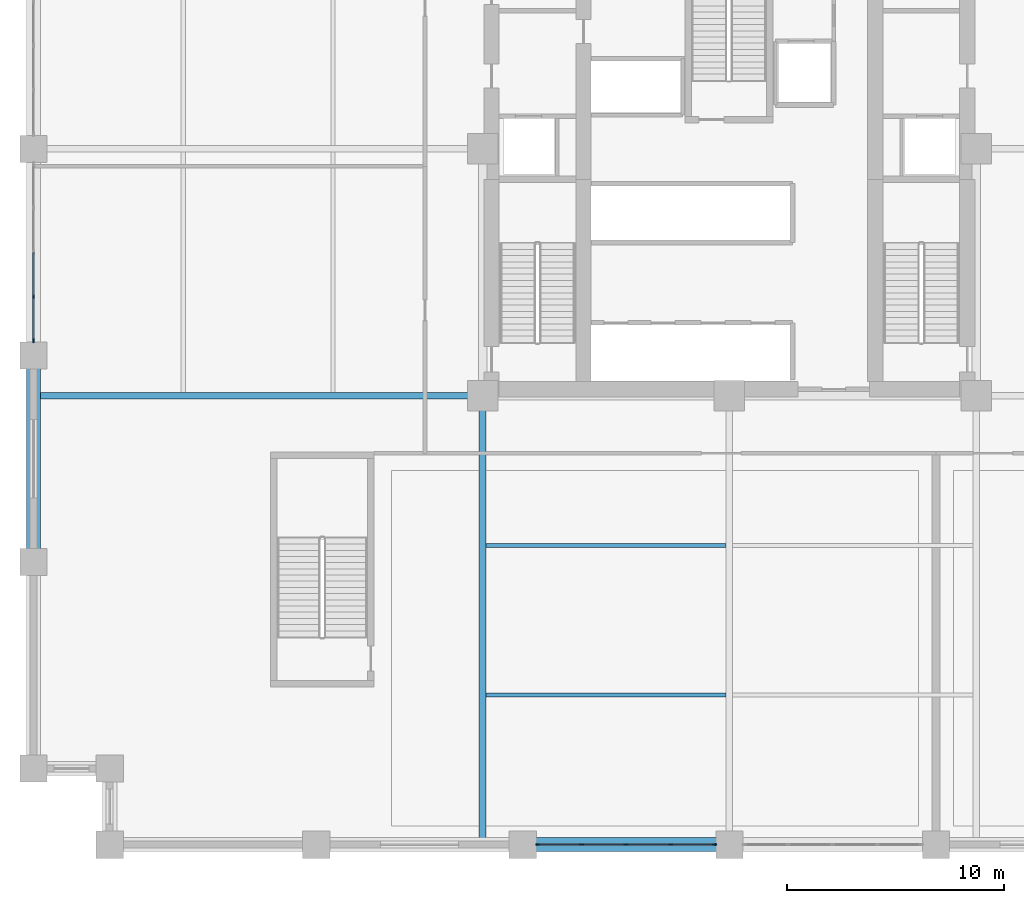
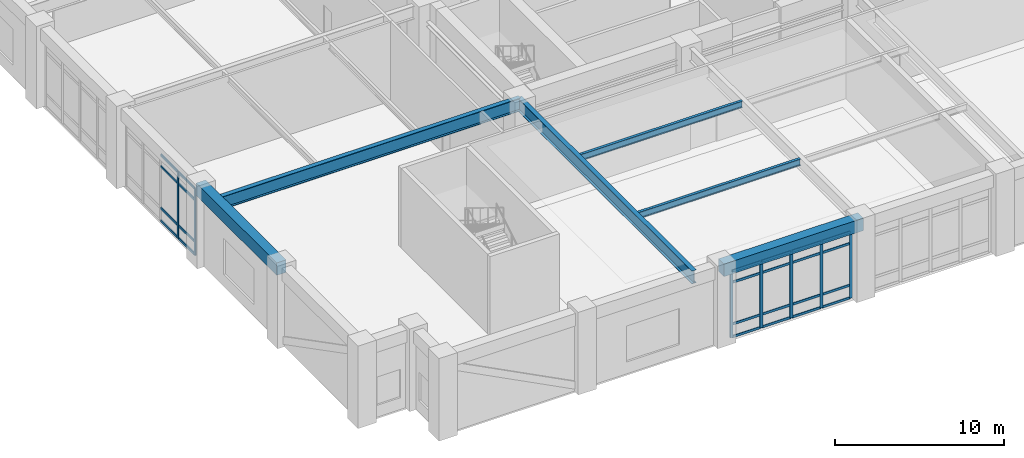
# One storey, part 2 of 21: 31 members, 6 beams, 2 elements without a shape of their own.
"""IFC4 building model written with IfcOpenShell, lengths in metres."""

from ifc_helpers import new_model, si_unit, direction, frame, origin, origin_2d, place, context, subcontext, project, spatial, rectangle, i_section, extrude, material, layer, layer_set, material_profile, profile_set, type_object, element, aggregate, save


model = new_model("IFC4")

# Units and contexts
model_context = context("Model", 3, precision=1e-05, world=origin(), true_north=direction((0.0, 1.0)))
body_context = subcontext(model_context, "Body", "Model", "MODEL_VIEW")
ifc_project = project(units=[si_unit("LENGTHUNIT", "METRE"), si_unit("AREAUNIT", "SQUARE_METRE"), si_unit("VOLUMEUNIT", "CUBIC_METRE"), si_unit("PLANEANGLEUNIT", "RADIAN"), si_unit("MASSUNIT", "GRAM", prefix="KILO")], contexts=[model_context])

# Site, building, storey
site_placement = place(None, origin())
site = spatial("IfcSite", under=ifc_project, at=site_placement, CompositionType="ELEMENT")
building_placement = place(site_placement, origin())
building = spatial("IfcBuilding", under=site, at=building_placement, Name="Nhamokura Convention Tower", CompositionType="ELEMENT")
storey_placement = place(building_placement, frame((0.0, 0.0, 17.85009765625)))
storey = spatial("IfcBuildingStorey", under=building, at=storey_placement, Name="L03", CompositionType="ELEMENT", Elevation=17.85009765625)

# Curtain wall, members
ifc_material_1 = material(Name="Anodised bronze aluminium AA6063-T6", Category="aluminium")
ifc_layer = layer(ifc_material_1, 0.199951171875)
ifc_layer_set = layer_set([ifc_layer], Name="CWSystem_ConventionFoyer")
curtain_wall_type = type_object("IfcCurtainWallType", Name="CWSystem_ConventionFoyer", PredefinedType="NOTDEFINED", material=ifc_layer_set)
curtain_wall_1_placement = place(storey_placement, origin())
curtain_wall_1 = element("IfcCurtainWall", 1, at=curtain_wall_1_placement, inside=storey, type_object=curtain_wall_type, Name="L03 Curtain Wall ENV-L03-CW-S2", PredefinedType="NOTDEFINED")
ifc_material_2 = material(Name="Anodised bronze aluminium AA6063-T6", Category="aluminium")
ifc_material_profile_1 = material_profile(ifc_material_2, rectangle(XDim=0.074951171875, YDim=0.199951171875, at=origin_2d()))
ifc_profile_set_1 = profile_set([ifc_material_profile_1], Name="Anodised bronze aluminium AA6063-T6")
member_type_1 = type_object("IfcMemberType", Name="CWMullion_2", PredefinedType="MULLION", material=ifc_profile_set_1)
member_1_placement = place(storey_placement, frame((31.3125, 0.0, 0.0), z_axis=(0.0, 0.0, 1.0), x_axis=(0.0, -1.0, 0.0)))
member_1 = element("IfcMember", 2, at=member_1_placement, type_object=member_type_1, Name="CW-02 mullion 1", PredefinedType="MULLION", context=body_context, shape_type="SweptSolid", body=[
    extrude(rectangle(XDim=0.074951171875, YDim=0.199951171875, at=origin_2d()), origin(), (0.0, 0.0, 1.0), 4.809814453125),
])
member_2_placement = place(storey_placement, frame((29.300048828125, 0.0, 0.0), z_axis=(0.0, 0.0, 1.0), x_axis=(0.0, -1.0, 0.0)))
member_2 = element("IfcMember", 3, at=member_2_placement, type_object=member_type_1, Name="CW-02 mullion 2", PredefinedType="MULLION", context=body_context, shape_type="SweptSolid", body=[
    extrude(rectangle(XDim=0.074951171875, YDim=0.199951171875, at=origin_2d()), origin(), (0.0, 0.0, 1.0), 4.809814453125),
])
member_3_placement = place(storey_placement, frame((27.25, 0.0, 0.0), z_axis=(0.0, 0.0, 1.0), x_axis=(0.0, -1.0, 0.0)))
member_3 = element("IfcMember", 4, at=member_3_placement, type_object=member_type_1, Name="CW-02 mullion 3", PredefinedType="MULLION", context=body_context, shape_type="SweptSolid", body=[
    extrude(rectangle(XDim=0.074951171875, YDim=0.199951171875, at=origin_2d()), origin(), (0.0, 0.0, 1.0), 4.809814453125),
])
member_4_placement = place(storey_placement, frame((25.199951171875, 0.0, 0.0), z_axis=(0.0, 0.0, 1.0), x_axis=(0.0, -1.0, 0.0)))
member_4 = element("IfcMember", 5, at=member_4_placement, type_object=member_type_1, Name="CW-02 mullion 4", PredefinedType="MULLION", context=body_context, shape_type="SweptSolid", body=[
    extrude(rectangle(XDim=0.074951171875, YDim=0.199951171875, at=origin_2d()), origin(), (0.0, 0.0, 1.0), 4.809814453125),
])
member_5_placement = place(storey_placement, frame((23.1875, 0.0, 0.0), z_axis=(0.0, 0.0, 1.0), x_axis=(0.0, -1.0, 0.0)))
member_5 = element("IfcMember", 6, at=member_5_placement, type_object=member_type_1, Name="CW-02 mullion 5", PredefinedType="MULLION", context=body_context, shape_type="SweptSolid", body=[
    extrude(rectangle(XDim=0.074951171875, YDim=0.199951171875, at=origin_2d()), origin(), (0.0, 0.0, 1.0), 4.809814453125),
])

curtain_wall_2_placement = place(storey_placement, origin())
curtain_wall_2 = element("IfcCurtainWall", 7, at=curtain_wall_2_placement, inside=storey, type_object=curtain_wall_type, Name="L03 Curtain Wall ENV-L03-CW-W2", PredefinedType="NOTDEFINED")
member_6_placement = place(storey_placement, frame((0.0, 23.1875, 0.0), z_axis=(0.0, 0.0, 1.0), x_axis=(-1.0, 0.0, 0.0)))
member_6 = element("IfcMember", 8, at=member_6_placement, type_object=member_type_1, Name="CW-02 mullion 1", PredefinedType="MULLION", context=body_context, shape_type="SweptSolid", body=[
    extrude(rectangle(XDim=0.074951171875, YDim=0.199951171875, at=origin_2d()), origin(), (0.0, 0.0, 1.0), 4.809814453125),
])
member_7_placement = place(storey_placement, frame((0.0, 25.199951171875, 0.0), z_axis=(0.0, 0.0, 1.0), x_axis=(-1.0, 0.0, 0.0)))
member_7 = element("IfcMember", 9, at=member_7_placement, type_object=member_type_1, Name="CW-02 mullion 2", PredefinedType="MULLION", context=body_context, shape_type="SweptSolid", body=[
    extrude(rectangle(XDim=0.074951171875, YDim=0.199951171875, at=origin_2d()), origin(), (0.0, 0.0, 1.0), 4.809814453125),
])

# Member
ifc_material_3 = material(Name="Anodised bronze aluminium AA6063-T6", Category="aluminium")
ifc_material_profile_2 = material_profile(ifc_material_3, rectangle(XDim=0.074951171875, YDim=0.169921875, at=origin_2d()))
ifc_profile_set_2 = profile_set([ifc_material_profile_2], Name="Anodised bronze aluminium AA6063-T6")
member_type_2 = type_object("IfcMemberType", Name="CWTransom_2", PredefinedType="USERDEFINED", material=ifc_profile_set_2)
member_8_placement = place(storey_placement, frame((31.27490234375, 0.0, 0.037353515625), z_axis=(-1.0, 0.0, 0.0), x_axis=(0.0, -1.0, 0.0)))
member_8 = element("IfcMember", 10, at=member_8_placement, type_object=member_type_2, Name="CW-02 transom 1.1", ObjectType="TRANSOM", PredefinedType="USERDEFINED", context=body_context, shape_type="SweptSolid", body=[
    extrude(rectangle(XDim=0.074951171875, YDim=0.169921875, at=origin_2d()), origin(), (0.0, 0.0, 1.0), 1.9375),
])

member_9_placement = place(storey_placement, frame((31.27490234375, 0.0, 0.949951171875), z_axis=(-1.0, 0.0, 0.0), x_axis=(0.0, -1.0, 0.0)))
member_9 = element("IfcMember", 11, at=member_9_placement, type_object=member_type_2, Name="CW-02 transom 1.2", ObjectType="TRANSOM", PredefinedType="USERDEFINED", context=body_context, shape_type="SweptSolid", body=[
    extrude(rectangle(XDim=0.074951171875, YDim=0.169921875, at=origin_2d()), origin(), (0.0, 0.0, 1.0), 1.9375),
])

member_10_placement = place(storey_placement, frame((31.27490234375, 0.0, 3.9599609375), z_axis=(-1.0, 0.0, 0.0), x_axis=(0.0, -1.0, 0.0)))
member_10 = element("IfcMember", 12, at=member_10_placement, type_object=member_type_2, Name="CW-02 transom 1.3", ObjectType="TRANSOM", PredefinedType="USERDEFINED", context=body_context, shape_type="SweptSolid", body=[
    extrude(rectangle(XDim=0.074951171875, YDim=0.169921875, at=origin_2d()), origin(), (0.0, 0.0, 1.0), 1.9375),
])

member_11_placement = place(storey_placement, frame((31.27490234375, 0.0, 4.7724609375), z_axis=(-1.0, 0.0, 0.0), x_axis=(0.0, -1.0, 0.0)))
member_11 = element("IfcMember", 13, at=member_11_placement, type_object=member_type_2, Name="CW-02 transom 1.4", ObjectType="TRANSOM", PredefinedType="USERDEFINED", context=body_context, shape_type="SweptSolid", body=[
    extrude(rectangle(XDim=0.074951171875, YDim=0.169921875, at=origin_2d()), origin(), (0.0, 0.0, 1.0), 1.9375),
])

member_12_placement = place(storey_placement, frame((29.262451171875, 0.0, 0.037353515625), z_axis=(-1.0, 0.0, 0.0), x_axis=(0.0, -1.0, 0.0)))
member_12 = element("IfcMember", 14, at=member_12_placement, type_object=member_type_2, Name="CW-02 transom 2.1", ObjectType="TRANSOM", PredefinedType="USERDEFINED", context=body_context, shape_type="SweptSolid", body=[
    extrude(rectangle(XDim=0.074951171875, YDim=0.169921875, at=origin_2d()), origin(), (0.0, 0.0, 1.0), 1.974853515625),
])

member_13_placement = place(storey_placement, frame((29.262451171875, 0.0, 0.949951171875), z_axis=(-1.0, 0.0, 0.0), x_axis=(0.0, -1.0, 0.0)))
member_13 = element("IfcMember", 15, at=member_13_placement, type_object=member_type_2, Name="CW-02 transom 2.2", ObjectType="TRANSOM", PredefinedType="USERDEFINED", context=body_context, shape_type="SweptSolid", body=[
    extrude(rectangle(XDim=0.074951171875, YDim=0.169921875, at=origin_2d()), origin(), (0.0, 0.0, 1.0), 1.974853515625),
])

member_14_placement = place(storey_placement, frame((29.262451171875, 0.0, 3.9599609375), z_axis=(-1.0, 0.0, 0.0), x_axis=(0.0, -1.0, 0.0)))
member_14 = element("IfcMember", 16, at=member_14_placement, type_object=member_type_2, Name="CW-02 transom 2.3", ObjectType="TRANSOM", PredefinedType="USERDEFINED", context=body_context, shape_type="SweptSolid", body=[
    extrude(rectangle(XDim=0.074951171875, YDim=0.169921875, at=origin_2d()), origin(), (0.0, 0.0, 1.0), 1.974853515625),
])

member_15_placement = place(storey_placement, frame((29.262451171875, 0.0, 4.7724609375), z_axis=(-1.0, 0.0, 0.0), x_axis=(0.0, -1.0, 0.0)))
member_15 = element("IfcMember", 17, at=member_15_placement, type_object=member_type_2, Name="CW-02 transom 2.4", ObjectType="TRANSOM", PredefinedType="USERDEFINED", context=body_context, shape_type="SweptSolid", body=[
    extrude(rectangle(XDim=0.074951171875, YDim=0.169921875, at=origin_2d()), origin(), (0.0, 0.0, 1.0), 1.974853515625),
])

member_16_placement = place(storey_placement, frame((27.21240234375, 0.0, 0.037353515625), z_axis=(-1.0, 0.0, 0.0), x_axis=(0.0, -1.0, 0.0)))
member_16 = element("IfcMember", 18, at=member_16_placement, type_object=member_type_2, Name="CW-02 transom 3.1", ObjectType="TRANSOM", PredefinedType="USERDEFINED", context=body_context, shape_type="SweptSolid", body=[
    extrude(rectangle(XDim=0.074951171875, YDim=0.169921875, at=origin_2d()), origin(), (0.0, 0.0, 1.0), 1.974853515625),
])

member_17_placement = place(storey_placement, frame((27.21240234375, 0.0, 0.949951171875), z_axis=(-1.0, 0.0, 0.0), x_axis=(0.0, -1.0, 0.0)))
member_17 = element("IfcMember", 19, at=member_17_placement, type_object=member_type_2, Name="CW-02 transom 3.2", ObjectType="TRANSOM", PredefinedType="USERDEFINED", context=body_context, shape_type="SweptSolid", body=[
    extrude(rectangle(XDim=0.074951171875, YDim=0.169921875, at=origin_2d()), origin(), (0.0, 0.0, 1.0), 1.974853515625),
])

member_18_placement = place(storey_placement, frame((27.21240234375, 0.0, 3.9599609375), z_axis=(-1.0, 0.0, 0.0), x_axis=(0.0, -1.0, 0.0)))
member_18 = element("IfcMember", 20, at=member_18_placement, type_object=member_type_2, Name="CW-02 transom 3.3", ObjectType="TRANSOM", PredefinedType="USERDEFINED", context=body_context, shape_type="SweptSolid", body=[
    extrude(rectangle(XDim=0.074951171875, YDim=0.169921875, at=origin_2d()), origin(), (0.0, 0.0, 1.0), 1.974853515625),
])

member_19_placement = place(storey_placement, frame((27.21240234375, 0.0, 4.7724609375), z_axis=(-1.0, 0.0, 0.0), x_axis=(0.0, -1.0, 0.0)))
member_19 = element("IfcMember", 21, at=member_19_placement, type_object=member_type_2, Name="CW-02 transom 3.4", ObjectType="TRANSOM", PredefinedType="USERDEFINED", context=body_context, shape_type="SweptSolid", body=[
    extrude(rectangle(XDim=0.074951171875, YDim=0.169921875, at=origin_2d()), origin(), (0.0, 0.0, 1.0), 1.974853515625),
])

member_20_placement = place(storey_placement, frame((25.16259765625, 0.0, 0.037353515625), z_axis=(-1.0, 0.0, 0.0), x_axis=(0.0, -1.0, 0.0)))
member_20 = element("IfcMember", 22, at=member_20_placement, type_object=member_type_2, Name="CW-02 transom 4.1", ObjectType="TRANSOM", PredefinedType="USERDEFINED", context=body_context, shape_type="SweptSolid", body=[
    extrude(rectangle(XDim=0.074951171875, YDim=0.169921875, at=origin_2d()), origin(), (0.0, 0.0, 1.0), 1.9375),
])

member_21_placement = place(storey_placement, frame((25.16259765625, 0.0, 0.949951171875), z_axis=(-1.0, 0.0, 0.0), x_axis=(0.0, -1.0, 0.0)))
member_21 = element("IfcMember", 23, at=member_21_placement, type_object=member_type_2, Name="CW-02 transom 4.2", ObjectType="TRANSOM", PredefinedType="USERDEFINED", context=body_context, shape_type="SweptSolid", body=[
    extrude(rectangle(XDim=0.074951171875, YDim=0.169921875, at=origin_2d()), origin(), (0.0, 0.0, 1.0), 1.9375),
])

member_22_placement = place(storey_placement, frame((25.16259765625, 0.0, 3.9599609375), z_axis=(-1.0, 0.0, 0.0), x_axis=(0.0, -1.0, 0.0)))
member_22 = element("IfcMember", 24, at=member_22_placement, type_object=member_type_2, Name="CW-02 transom 4.3", ObjectType="TRANSOM", PredefinedType="USERDEFINED", context=body_context, shape_type="SweptSolid", body=[
    extrude(rectangle(XDim=0.074951171875, YDim=0.169921875, at=origin_2d()), origin(), (0.0, 0.0, 1.0), 1.9375),
])

member_23_placement = place(storey_placement, frame((25.16259765625, 0.0, 4.7724609375), z_axis=(-1.0, 0.0, 0.0), x_axis=(0.0, -1.0, 0.0)))
member_23 = element("IfcMember", 25, at=member_23_placement, type_object=member_type_2, Name="CW-02 transom 4.4", ObjectType="TRANSOM", PredefinedType="USERDEFINED", context=body_context, shape_type="SweptSolid", body=[
    extrude(rectangle(XDim=0.074951171875, YDim=0.169921875, at=origin_2d()), origin(), (0.0, 0.0, 1.0), 1.9375),
])

aggregate(curtain_wall_1, [member_1, member_2, member_3, member_4, member_5, member_8, member_9, member_10, member_11, member_12, member_13, member_14, member_15, member_16, member_17, member_18, member_19, member_20, member_21, member_22, member_23])

member_24_placement = place(storey_placement, frame((0.0, 23.22509765625, 0.037353515625), z_axis=(0.0, 1.0, 0.0), x_axis=(-1.0, 0.0, 0.0)))
member_24 = element("IfcMember", 26, at=member_24_placement, type_object=member_type_2, Name="CW-02 transom 1.1", ObjectType="TRANSOM", PredefinedType="USERDEFINED", context=body_context, shape_type="SweptSolid", body=[
    extrude(rectangle(XDim=0.074951171875, YDim=0.169921875, at=origin_2d()), origin(), (0.0, 0.0, 1.0), 1.9375),
])

member_25_placement = place(storey_placement, frame((0.0, 23.22509765625, 0.949951171875), z_axis=(0.0, 1.0, 0.0), x_axis=(-1.0, 0.0, 0.0)))
member_25 = element("IfcMember", 27, at=member_25_placement, type_object=member_type_2, Name="CW-02 transom 1.2", ObjectType="TRANSOM", PredefinedType="USERDEFINED", context=body_context, shape_type="SweptSolid", body=[
    extrude(rectangle(XDim=0.074951171875, YDim=0.169921875, at=origin_2d()), origin(), (0.0, 0.0, 1.0), 1.9375),
])

member_26_placement = place(storey_placement, frame((0.0, 23.22509765625, 3.9599609375), z_axis=(0.0, 1.0, 0.0), x_axis=(-1.0, 0.0, 0.0)))
member_26 = element("IfcMember", 28, at=member_26_placement, type_object=member_type_2, Name="CW-02 transom 1.3", ObjectType="TRANSOM", PredefinedType="USERDEFINED", context=body_context, shape_type="SweptSolid", body=[
    extrude(rectangle(XDim=0.074951171875, YDim=0.169921875, at=origin_2d()), origin(), (0.0, 0.0, 1.0), 1.9375),
])

member_27_placement = place(storey_placement, frame((0.0, 23.22509765625, 4.7724609375), z_axis=(0.0, 1.0, 0.0), x_axis=(-1.0, 0.0, 0.0)))
member_27 = element("IfcMember", 29, at=member_27_placement, type_object=member_type_2, Name="CW-02 transom 1.4", ObjectType="TRANSOM", PredefinedType="USERDEFINED", context=body_context, shape_type="SweptSolid", body=[
    extrude(rectangle(XDim=0.074951171875, YDim=0.169921875, at=origin_2d()), origin(), (0.0, 0.0, 1.0), 1.9375),
])

member_28_placement = place(storey_placement, frame((0.0, 25.237548828125, 0.037353515625), z_axis=(0.0, 1.0, 0.0), x_axis=(-1.0, 0.0, 0.0)))
member_28 = element("IfcMember", 30, at=member_28_placement, type_object=member_type_2, Name="CW-02 transom 2.1", ObjectType="TRANSOM", PredefinedType="USERDEFINED", context=body_context, shape_type="SweptSolid", body=[
    extrude(rectangle(XDim=0.074951171875, YDim=0.169921875, at=origin_2d()), origin(), (0.0, 0.0, 1.0), 1.974853515625),
])

member_29_placement = place(storey_placement, frame((0.0, 25.237548828125, 0.949951171875), z_axis=(0.0, 1.0, 0.0), x_axis=(-1.0, 0.0, 0.0)))
member_29 = element("IfcMember", 31, at=member_29_placement, type_object=member_type_2, Name="CW-02 transom 2.2", ObjectType="TRANSOM", PredefinedType="USERDEFINED", context=body_context, shape_type="SweptSolid", body=[
    extrude(rectangle(XDim=0.074951171875, YDim=0.169921875, at=origin_2d()), origin(), (0.0, 0.0, 1.0), 1.974853515625),
])

member_30_placement = place(storey_placement, frame((0.0, 25.237548828125, 3.9599609375), z_axis=(0.0, 1.0, 0.0), x_axis=(-1.0, 0.0, 0.0)))
member_30 = element("IfcMember", 32, at=member_30_placement, type_object=member_type_2, Name="CW-02 transom 2.3", ObjectType="TRANSOM", PredefinedType="USERDEFINED", context=body_context, shape_type="SweptSolid", body=[
    extrude(rectangle(XDim=0.074951171875, YDim=0.169921875, at=origin_2d()), origin(), (0.0, 0.0, 1.0), 1.974853515625),
])

member_31_placement = place(storey_placement, frame((0.0, 25.237548828125, 4.7724609375), z_axis=(0.0, 1.0, 0.0), x_axis=(-1.0, 0.0, 0.0)))
member_31 = element("IfcMember", 33, at=member_31_placement, type_object=member_type_2, Name="CW-02 transom 2.4", ObjectType="TRANSOM", PredefinedType="USERDEFINED", context=body_context, shape_type="SweptSolid", body=[
    extrude(rectangle(XDim=0.074951171875, YDim=0.169921875, at=origin_2d()), origin(), (0.0, 0.0, 1.0), 1.974853515625),
])

aggregate(curtain_wall_2, [member_6, member_7, member_24, member_25, member_26, member_27, member_28, member_29, member_30, member_31])

# Beams
ifc_material_4 = material(Name="Steel ASTM A992 Gr 50", Category="steel")
ifc_material_profile_3 = material_profile(ifc_material_4, i_section(OverallWidth=0.19189453125, OverallDepth=0.462890625, WebThickness=0.010498046875, FlangeThickness=0.017578125, at=origin_2d()))
ifc_profile_set_3 = profile_set([ifc_material_profile_3], Name="Steel ASTM A992 Gr 50")
beam_type_1 = type_object("IfcBeamType", Name="FloorJoist_W460X89", PredefinedType="JOIST", material=ifc_profile_set_3)
for number, where, z_axis, x_axis, name in (
    (34, (20.802001953125, 6.88330078125, 5.478515625), (1.0, 0.0, 0.0), (0.0, 1.0, 0.0), "L03 Composite Floor Joist S1A"),
    (35, (20.802001953125, 13.7666015625, 5.478515625), (1.0, 0.0, 0.0), (0.0, 1.0, 0.0), "L03 Composite Floor Joist S2A"),
):
    element("IfcBeam", number, at=place(storey_placement, frame(where, z_axis=z_axis, x_axis=x_axis)), inside=storey, type_object=beam_type_1, Name=name, PredefinedType="JOIST", context=body_context, shape_type="SweptSolid", body=[
        extrude(i_section(OverallWidth=0.19189453125, OverallDepth=0.462890625, WebThickness=0.010498046875, FlangeThickness=0.017578125, at=origin_2d()), origin(), (0.0, 0.0, 1.0), 11.0458984375),
    ])
ifc_material_5 = material(Name="Steel ASTM A992 Gr 50", Category="steel")
ifc_material_profile_4 = material_profile(ifc_material_5, i_section(OverallWidth=0.30810546875, OverallDepth=0.927001953125, WebThickness=0.019287109375, FlangeThickness=0.031982421875, at=origin_2d()))
ifc_profile_set_4 = profile_set([ifc_material_profile_4], Name="Steel ASTM A992 Gr 50")
beam_type_2 = type_object("IfcBeamType", Name="HallGirder_W920X289", PredefinedType="BEAM", material=ifc_profile_set_4)
for number, where, z_axis, x_axis, name in (
    (36, (20.64990234375, 0.0, 5.246337890625), (0.0, 1.0, 0.0), (-1.0, 0.0, 0.0), "L03 Primary Floor Girder PG-S1"),
    (37, (0.0, 20.64990234375, 5.246337890625), (1.0, 0.0, 0.0), (0.0, 1.0, 0.0), "L03 Primary Floor Girder PG-W1"),
):
    element("IfcBeam", number, at=place(storey_placement, frame(where, z_axis=z_axis, x_axis=x_axis)), inside=storey, type_object=beam_type_2, Name=name, PredefinedType="BEAM", context=body_context, shape_type="SweptSolid", body=[
        extrude(i_section(OverallWidth=0.30810546875, OverallDepth=0.927001953125, WebThickness=0.019287109375, FlangeThickness=0.031982421875, at=origin_2d()), origin(), (0.0, 0.0, 1.0), 20.64990234375),
    ])
ifc_material_6 = material(Name="Concrete C60/75", Category="concrete")
ifc_material_profile_5 = material_profile(ifc_material_6, rectangle(XDim=0.64990234375, YDim=0.89990234375, at=origin_2d()))
ifc_profile_set_5 = profile_set([ifc_material_profile_5], Name="Concrete C60/75")
beam_type_3 = type_object("IfcBeamType", Name="TubeSpandrel_900", PredefinedType="SPANDREL", material=ifc_profile_set_5)
for number, where, z_axis, x_axis, name in (
    (38, (22.5, 0.0, 5.260009765625), (1.0, 0.0, 0.0), (0.0, 1.0, 0.0), "L03 Perimeter Spandrel SOUTH 3"),
    (39, (0.0, 13.0, 5.260009765625), (0.0, 1.0, 0.0), (-1.0, 0.0, 0.0), "L03 Perimeter Spandrel WEST 2"),
):
    element("IfcBeam", number, at=place(storey_placement, frame(where, z_axis=z_axis, x_axis=x_axis)), inside=storey, type_object=beam_type_3, Name=name, PredefinedType="SPANDREL", context=body_context, shape_type="SweptSolid", body=[
        extrude(rectangle(XDim=0.64990234375, YDim=0.89990234375, at=origin_2d()), origin(), (0.0, 0.0, 1.0), 9.5),
    ])

save(model, "model.ifc")
